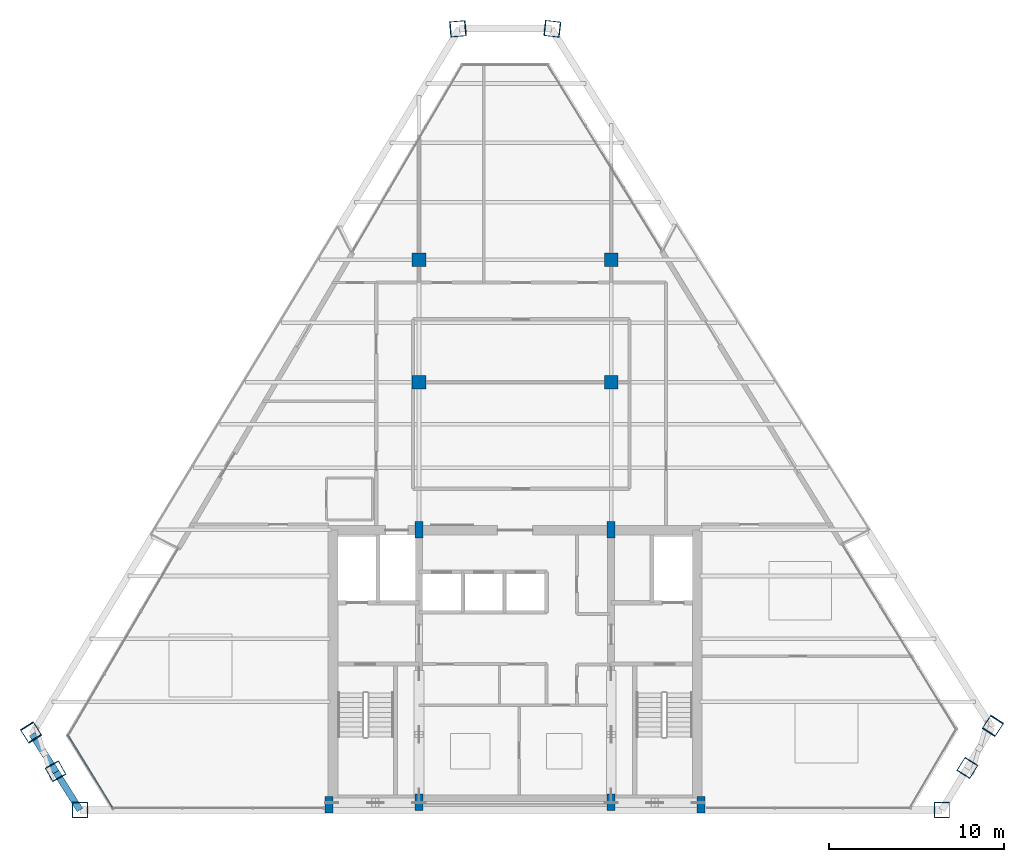
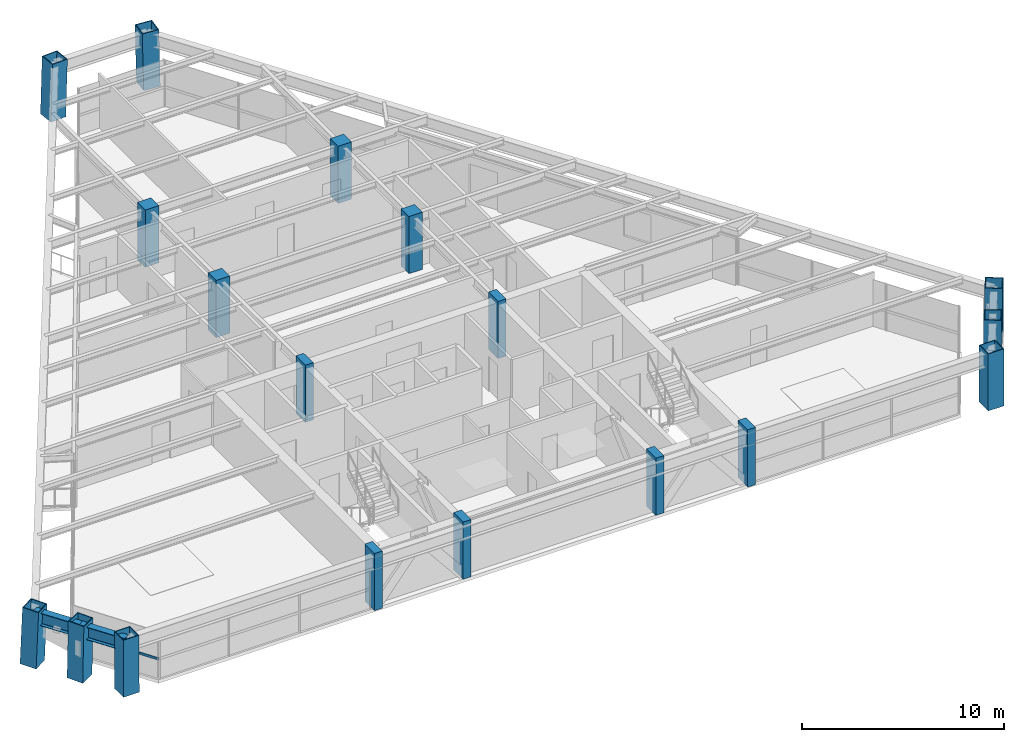
# One storey, part 1 of 13: 18 columns, 2 beams, 1 member, 1 element without a shape of its own.
"""IFC4 building model written with IfcOpenShell, lengths in metres."""

from ifc_helpers import new_model, si_unit, direction, frame, origin, origin_2d, place, context, subcontext, project, spatial, rectangle, hollow_rectangle, i_section, extrude, source, transform, mapped, material, material_profile, profile_set, type_object, element, aggregate, save


model = new_model("IFC4")

# Units and contexts
model_context = context("Model", 3, precision=1e-05, world=origin(), true_north=direction((0.0, 1.0)))
body_context = subcontext(model_context, "Body", "Model", "MODEL_VIEW")
ifc_project = project(units=[si_unit("LENGTHUNIT", "METRE"), si_unit("AREAUNIT", "SQUARE_METRE"), si_unit("VOLUMEUNIT", "CUBIC_METRE"), si_unit("PLANEANGLEUNIT", "RADIAN"), si_unit("MASSUNIT", "GRAM", prefix="KILO")], contexts=[model_context])

# Site, building, storey
site_placement = place(None, origin())
site = spatial("IfcSite", under=ifc_project, at=site_placement, CompositionType="ELEMENT")
building_placement = place(site_placement, origin())
building = spatial("IfcBuilding", under=site, at=building_placement, Name="Varnakhor Terracotta Tower", CompositionType="ELEMENT")
storey_placement = place(building_placement, frame((0.0, 0.0, 244.14990234375)))
storey = spatial("IfcBuildingStorey", under=building, at=storey_placement, Name="L63", CompositionType="ELEMENT", Elevation=244.14990234375)

# Columns
ifc_material_1 = material(Name="Concrete C50/60", Category="concrete")
ifc_material_profile_1 = material_profile(ifc_material_1, rectangle(XDim=0.449951171875, YDim=0.949951171875, at=origin_2d()), Name="RC PILASTER 950x450")
ifc_profile_set_1 = profile_set([ifc_material_profile_1], Name="Concrete C50/60")
column_type_1 = type_object("IfcColumnType", Name="COL-PIL-950x450", PredefinedType="PILASTER", material=ifc_profile_set_1)
shared_shape_1 = source(origin(), body_context, "Body", "SweptSolid", [
    extrude(rectangle(XDim=0.449951171875, YDim=0.949951171875, at=origin_2d()), origin(), (0.0, 0.0, 1.0), 3.4501953125),
])
for number, where, z_axis, x_axis, name in (
    (1, (-10.64990234375, 0.300048828125, 0.0), (0.0, 0.0, 1.0), (1.0, 0.0, 0.0), "L63 Core Pilaster CP1"),
    (2, (-5.5, 0.449951171875, 0.0), (0.0, 0.0, 1.0), (1.0, 0.0, 0.0), "L63 Core Pilaster CP2"),
    (3, (5.5, 0.449951171875, 0.0), (0.0, 0.0, 1.0), (1.0, 0.0, 0.0), "L63 Core Pilaster CP3"),
    (4, (10.64990234375, 0.300048828125, 0.0), (0.0, 0.0, 1.0), (1.0, 0.0, 0.0), "L63 Core Pilaster CP4"),
    (5, (-5.5, 16.050048828125, 0.0), (0.0, 0.0, 1.0), (1.0, 0.0, 0.0), "L63 Core Pilaster CP5"),
    (6, (5.5, 16.050048828125, 0.0), (0.0, 0.0, 1.0), (1.0, 0.0, 0.0), "L63 Core Pilaster CP6"),
):
    element("IfcColumn", number, at=place(storey_placement, frame(where, z_axis=z_axis, x_axis=x_axis)), inside=storey, type_object=column_type_1, Name=name, PredefinedType="PILASTER", context=body_context, shape_type="MappedRepresentation", body=[
        mapped(shared_shape_1, transform((0.0, 0.0, 0.0), scale=1.0)),
    ])
ifc_material_2 = material(Name="Steel S460", Category="steel")
ifc_material_profile_2 = material_profile(ifc_material_2, hollow_rectangle(XDim=0.89990234375, YDim=0.89990234375, WallThickness=0.044921875, at=origin_2d()), Name="BOX 900x900x45")
ifc_profile_set_2 = profile_set([ifc_material_profile_2], Name="Steel S460")
column_type_2 = type_object("IfcColumnType", Name="COL-MEGA-900", PredefinedType="COLUMN", material=ifc_profile_set_2)
shared_shape_2 = source(origin(), body_context, "Body", "SweptSolid", [
    extrude(hollow_rectangle(XDim=0.89990234375, YDim=0.89990234375, WallThickness=0.044921875, at=origin_2d()), origin(), (0.0, 0.0, 1.0), 3.44287109375),
])
column_1_placement = place(storey_placement, frame((-3.287109375, 44.72900390625, 0.00439453125), z_axis=(0.028790473867, 0.002411024905, 0.999582560659), x_axis=(-0.083451728834, 0.99651182078, 0.0)))
element("IfcColumn", 7, at=column_1_placement, inside=storey, type_object=column_type_2, Name="L63 Perimeter Mega-Column M6", PredefinedType="COLUMN", context=body_context, shape_type="MappedRepresentation", body=[
    mapped(shared_shape_2, transform((0.0, 0.0, 0.0), scale=1.0)),
])
shared_shape_3 = source(origin(), body_context, "Body", "SweptSolid", [
    extrude(hollow_rectangle(XDim=0.89990234375, YDim=0.89990234375, WallThickness=0.044921875, at=origin_2d()), origin(), (0.0, 0.0, 1.0), 3.442138671875),
])
for number, where, z_axis, x_axis, name in (
    (8, (25.90625, 2.418701171875, 0.00439453125), (-0.010213783405, -0.016242752776, 0.999815908861), (0.846541360578, -0.53232295163, 0.0), "L63 Perimeter Mega-Column M3"),
    (9, (2.146728515625, 44.72900390625, 0.00439453125), (-0.021277753151, 0.00241147869, 0.999770694705), (-0.112612418904, -0.993638990332, 0.0), "L63 Perimeter Mega-Column M5"),
    (10, (-26.31640625, 2.22998046875, 0.00439453125), (0.009575334942, -0.017164674489, 0.999806824797), (0.87330482575, 0.487174179654, 0.0), "L63 Perimeter Mega-Column M8"),
):
    element("IfcColumn", number, at=place(storey_placement, frame(where, z_axis=z_axis, x_axis=x_axis)), inside=storey, type_object=column_type_2, Name=name, PredefinedType="COLUMN", context=body_context, shape_type="MappedRepresentation", body=[
        mapped(shared_shape_3, transform((0.0, 0.0, 0.0), scale=1.0)),
    ])
shared_shape_4 = source(origin(), body_context, "Body", "SweptSolid", [
    extrude(hollow_rectangle(XDim=0.89990234375, YDim=0.89990234375, WallThickness=0.044921875, at=origin_2d()), origin(), (0.0, 0.0, 1.0), 3.444091796875),
])
column_2_placement = place(storey_placement, frame((27.374267578125, 4.837646484375, 0.00439453125), z_axis=(-0.020983120231, -0.032538014141, 0.99925021206), x_axis=(0.840404255242, -0.541960042596, 0.0)))
element("IfcColumn", 11, at=column_2_placement, inside=storey, type_object=column_type_2, Name="L63 Perimeter Mega-Column M4", PredefinedType="COLUMN", context=body_context, shape_type="MappedRepresentation", body=[
    mapped(shared_shape_4, transform((0.0, 0.0, 0.0), scale=1.0)),
])
shared_shape_5 = source(origin(), body_context, "Body", "SweptSolid", [
    extrude(hollow_rectangle(XDim=0.89990234375, YDim=0.89990234375, WallThickness=0.044921875, at=origin_2d()), origin(), (0.0, 0.0, 1.0), 3.44140625),
])
for number, where, z_axis, x_axis, name in (
    (12, (-24.90625, 0.0, 0.00439453125), (-0.002412024766, 0.0, 0.999997091064), (0.0, -1.0, 0.0), "L63 Perimeter Mega-Column M1"),
    (13, (24.438232421875, 0.0, 0.00439453125), (0.000567536798, 0.0, 0.999999838951), (1.0, 0.0, 0.0), "L63 Perimeter Mega-Column M2"),
):
    element("IfcColumn", number, at=place(storey_placement, frame(where, z_axis=z_axis, x_axis=x_axis)), inside=storey, type_object=column_type_2, Name=name, PredefinedType="COLUMN", context=body_context, shape_type="MappedRepresentation", body=[
        mapped(shared_shape_5, transform((0.0, 0.0, 0.0), scale=1.0)),
    ])
shared_shape_6 = source(origin(), body_context, "Body", "SweptSolid", [
    extrude(hollow_rectangle(XDim=0.89990234375, YDim=0.89990234375, WallThickness=0.044921875, at=origin_2d()), origin(), (0.0, 0.0, 1.0), 3.4443359375),
])
column_3_placement = place(storey_placement, frame((-27.726806640625, 4.4599609375, 0.00439453125), z_axis=(0.021690396568, -0.034307686076, 0.999175915128), x_axis=(0.845239824675, 0.534387161881, 0.0)))
element("IfcColumn", 14, at=column_3_placement, inside=storey, type_object=column_type_2, Name="L63 Perimeter Mega-Column M7", PredefinedType="COLUMN", context=body_context, shape_type="MappedRepresentation", body=[
    mapped(shared_shape_6, transform((0.0, 0.0, 0.0), scale=1.0)),
])
ifc_material_profile_3 = material_profile(ifc_material_1, rectangle(XDim=0.780029296875, YDim=0.780029296875, at=origin_2d()), Name="RC 780x780")
ifc_profile_set_3 = profile_set([ifc_material_profile_3], Name="Concrete C50/60")
column_type_3 = type_object("IfcColumnType", Name="COL-RC-780", PredefinedType="COLUMN", material=ifc_profile_set_3)
shared_shape_7 = source(origin(), body_context, "Body", "SweptSolid", [
    extrude(rectangle(XDim=0.780029296875, YDim=0.780029296875, at=origin_2d()), origin(), (0.0, 0.0, 1.0), 3.4501953125),
])
for number, where, z_axis, x_axis, name in (
    (15, (-5.5, 24.5, 0.0), (0.0, 0.0, 1.0), (1.0, 0.0, 0.0), "L63 Interior Tower Column IC1"),
    (16, (5.5, 24.5, 0.0), (0.0, 0.0, 1.0), (1.0, 0.0, 0.0), "L63 Interior Tower Column IC2"),
    (17, (-5.5, 31.5, 0.0), (0.0, 0.0, 1.0), (1.0, 0.0, 0.0), "L63 Interior Tower Column IC3"),
    (18, (5.5, 31.5, 0.0), (0.0, 0.0, 1.0), (1.0, 0.0, 0.0), "L63 Interior Tower Column IC4"),
):
    element("IfcColumn", number, at=place(storey_placement, frame(where, z_axis=z_axis, x_axis=x_axis)), inside=storey, type_object=column_type_3, Name=name, PredefinedType="COLUMN", context=body_context, shape_type="MappedRepresentation", body=[
        mapped(shared_shape_7, transform((0.0, 0.0, 0.0), scale=1.0)),
    ])

# Beams
ifc_material_3 = material(Name="Steel S355", Category="steel")
ifc_material_profile_4 = material_profile(ifc_material_3, i_section(OverallWidth=0.381103515625, OverallDepth=0.77294921875, WebThickness=0.01708984375, FlangeThickness=0.027099609375, FilletRadius=0.01806640625, at=origin_2d()), Name="W30X173")
ifc_profile_set_4 = profile_set([ifc_material_profile_4], Name="Steel S355")
beam_type = type_object("IfcBeamType", Name="BM-W30X173", PredefinedType="BEAM", material=ifc_profile_set_4)
shared_shape_8 = source(origin(), body_context, "Body", "SweptSolid", [
    extrude(i_section(OverallWidth=0.381103515625, OverallDepth=0.77294921875, WebThickness=0.01708984375, FlangeThickness=0.027099609375, FilletRadius=0.01806640625, at=origin_2d()), origin(), (0.0, 0.0, 1.0), 2.56640625),
])
for number, where, z_axis, x_axis, name in (
    (19, (-27.652099609375, 4.341796875, 2.853515625), (0.533312762606, -0.845918138617, 0.0), (0.845918138617, 0.533312762606, 0.0), "L63 Perimeter Spandrel 7"),
    (20, (-26.283447265625, 2.1708984375, 2.853515625), (0.533380832097, -0.845875220084, 0.0), (0.845875220084, 0.533380832097, 0.0), "L63 Perimeter Spandrel 8"),
):
    element("IfcBeam", number, at=place(storey_placement, frame(where, z_axis=z_axis, x_axis=x_axis)), inside=storey, type_object=beam_type, Name=name, PredefinedType="BEAM", context=body_context, shape_type="MappedRepresentation", body=[
        mapped(shared_shape_8, transform((0.0, 0.0, 0.0), scale=1.0)),
    ])

# Curtain wall, member
ifc_material_4 = material(Name="Anodised Aluminium Curtain Wall System", Category="aluminium")
curtain_wall_type = type_object("IfcCurtainWallType", Name="CW-SYS-HOTEL-LOGGIA", PredefinedType="NOTDEFINED", material=ifc_material_4)
curtain_wall_placement = place(storey_placement, origin())
curtain_wall = element("IfcCurtainWall", 21, at=curtain_wall_placement, inside=storey, type_object=curtain_wall_type, Name="L63 Facet Curtain Wall 6", PredefinedType="NOTDEFINED")
ifc_material_5 = material(Name="Anodised Aluminium 6063-T6", Category="aluminium")
ifc_material_profile_5 = material_profile(ifc_material_5, rectangle(XDim=0.06494140625, YDim=0.14501953125, at=origin_2d()), Name="ALU TRANSOM 65x145")
ifc_profile_set_5 = profile_set([ifc_material_profile_5], Name="Anodised Aluminium 6063-T6")
member_type = type_object("IfcMemberType", Name="CWT-04", PredefinedType="USERDEFINED", material=ifc_profile_set_5)
shared_shape_9 = source(origin(), body_context, "Body", "SweptSolid", [
    extrude(rectangle(XDim=0.06494140625, YDim=0.14501953125, at=origin_2d()), origin(), (0.0, 0.0, 1.0), 4.945556640625),
])
member_placement = place(storey_placement, frame((-23.019287109375, 0.08837890625, 1.1845703125), z_axis=(-0.523562996299, 0.851986965221, 0.0), x_axis=(-0.851986965221, -0.523562996299, 0.0)))
member = element("IfcMember", 22, at=member_placement, type_object=member_type, Name="L63 Facet Curtain Wall 6 Transom 1", ObjectType="TRANSOM", PredefinedType="USERDEFINED", context=body_context, shape_type="MappedRepresentation", body=[
    mapped(shared_shape_9, transform((0.0, 0.0, 0.0), scale=1.0)),
])
aggregate(curtain_wall, [member])

save(model, "model.ifc")
